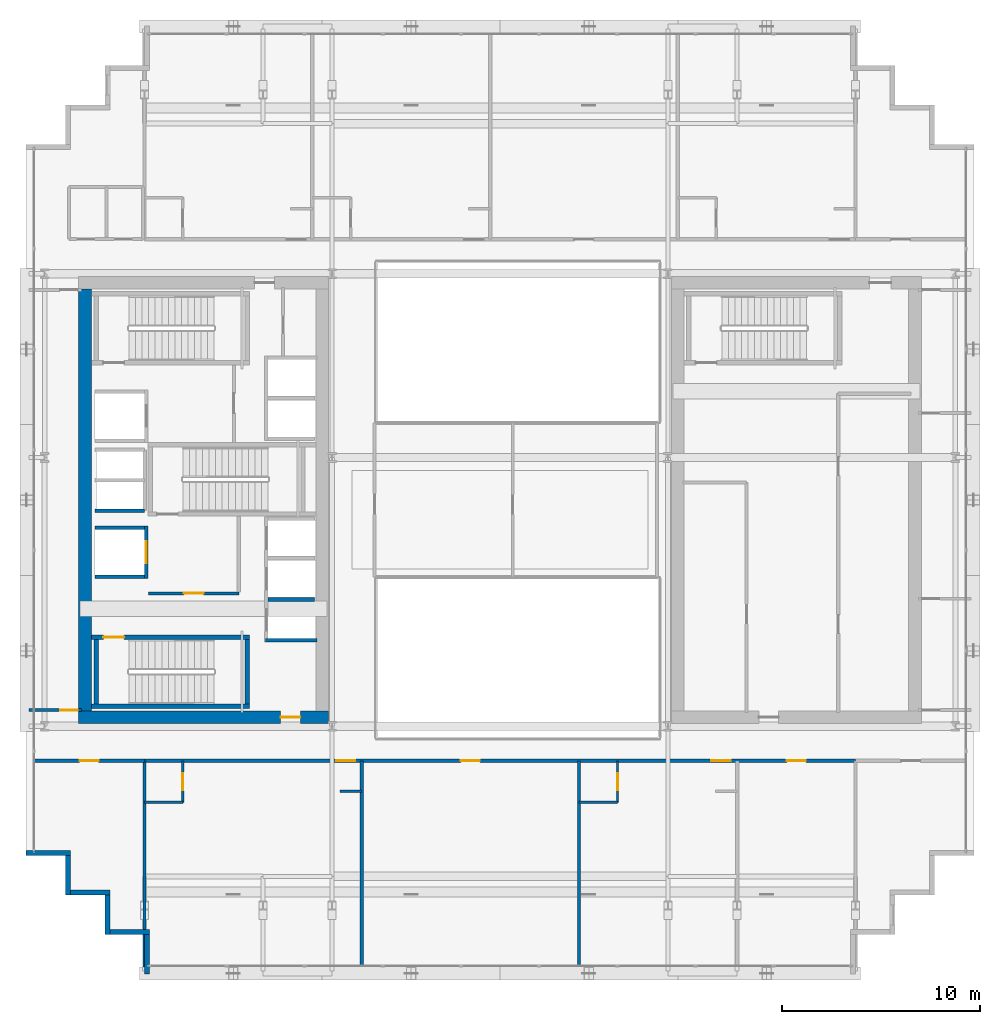
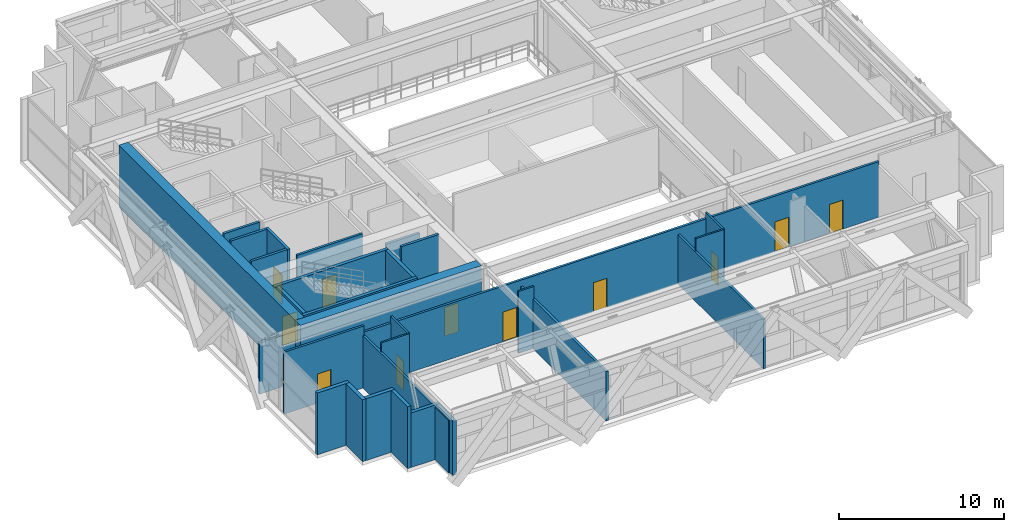
# One storey, part 28 of 35: 30 walls, 12 doors, 12 openings.
"""IFC4 building model written with IfcOpenShell, lengths in metres."""

from ifc_helpers import new_model, si_unit, direction, frame, frame_2d, origin, place, context, subcontext, project, spatial, rectangle, extrude, source, transform, mapped, material, layer, layer_set, type_object, element, fill, save


model = new_model("IFC4")

# Units and contexts
model_context = context("Model", 3, precision=1e-05, world=origin(), true_north=direction((0.0, 1.0)))
body_context = subcontext(model_context, "Body", "Model", "MODEL_VIEW")
ifc_project = project(units=[si_unit("LENGTHUNIT", "METRE"), si_unit("AREAUNIT", "SQUARE_METRE"), si_unit("VOLUMEUNIT", "CUBIC_METRE"), si_unit("PLANEANGLEUNIT", "RADIAN"), si_unit("MASSUNIT", "GRAM", prefix="KILO")], contexts=[model_context])

# Site, building, storey
site_placement = place(None, origin())
site = spatial("IfcSite", under=ifc_project, at=site_placement, CompositionType="ELEMENT")
building_placement = place(site_placement, origin())
building = spatial("IfcBuilding", under=site, at=building_placement, Name="Ocotamira Hotel", CompositionType="ELEMENT")
storey_placement = place(building_placement, frame((0.0, 0.0, 158.39990234375)))
storey = spatial("IfcBuildingStorey", under=building, at=storey_placement, Name="L39", CompositionType="ELEMENT", Elevation=158.39990234375)

# Wall, opening, door
ifc_material_1 = material(Name="Concrete C60/75", Category="concrete")
ifc_layer_1 = layer(ifc_material_1, 0.64990234375)
ifc_layer_set_1 = layer_set([ifc_layer_1], Name="Concrete C60/75")
wall_type_1 = type_object("IfcWallType", Name="WL-CORE-650", PredefinedType="SHEAR", material=ifc_layer_set_1)
wall_1_placement = place(storey_placement, frame((10.675048828125, 15.0, 0.0), z_axis=(0.0, 0.0, 1.0), x_axis=(1.0, 0.0, 0.0)))
wall_1 = element("IfcWall", 1, at=wall_1_placement, inside=storey, type_object=wall_type_1, Name="L39 Shear Core Wall WCORE-S", PredefinedType="SHEAR", context=body_context, shape_type="SweptSolid", body=[
    extrude(rectangle(XDim=12.64990234375, YDim=0.64990234375, at=frame_2d((6.324951171875, 0.0))), origin(), (0.0, 0.0, 1.0), 4.570068359375),
])
opening_1_placement = place(wall_1_placement, frame((10.22509765625, 0.0, 0.0)))
opening_1 = element("IfcOpeningElement", 2, at=opening_1_placement, cuts=wall_1, Name="Opening D-FR2", PredefinedType="OPENING", context=body_context, shape_type="SweptSolid", body=[
    extrude(rectangle(XDim=1.0, YDim=2.14990234375, at=frame_2d((0.5, 1.074951171875))), frame((0.0, 0.3349609375, 0.0), z_axis=(0.0, -1.0, 0.0), x_axis=(1.0, 0.0, 0.0)), (0.0, 0.0, 1.0), 0.669921875),
])
ifc_material_2 = material(Name="Fire-rated acoustic timber-veneer door", Category="wood")
door_type_1 = type_object("IfcDoorType", Name="DR-FIRE-1000", OperationType="NOTDEFINED", PredefinedType="DOOR", material=ifc_material_2)
shared_shape_1 = source(origin(), body_context, "Body", "SweptSolid", [
    extrude(rectangle(XDim=1.0, YDim=2.14990234375, at=frame_2d((0.5, 1.074951171875))), frame((0.0, 0.02490234375, 0.0), z_axis=(0.0, -1.0, 0.0), x_axis=(1.0, 0.0, 0.0)), (0.0, 0.0, 1.0), 0.050048828125),
])
door_1_placement = place(opening_1_placement, origin())
door_1 = element("IfcDoor", 3, at=door_1_placement, inside=storey, type_object=door_type_1, Name="L39 Door ID-L39-WLOB-S-D [ID-L39-WLOB-S-D]", OperationType="SINGLE_SWING_LEFT", OverallHeight=2.14990234375, OverallWidth=1.0, PredefinedType="DOOR", context=body_context, shape_type="MappedRepresentation", body=[
    mapped(shared_shape_1, transform((0.0, 0.0, 0.0), scale=1.0)),
])
fill(opening_1, door_1)

# Walls
wall_2_placement = place(storey_placement, frame((11.0, 15.324951171875, 0.0), z_axis=(0.0, 0.0, 1.0), x_axis=(0.0, 1.0, 0.0)))
element("IfcWall", 4, at=wall_2_placement, inside=storey, type_object=wall_type_1, Name="L39 Shear Core Wall WCORE-W", PredefinedType="SHEAR", context=body_context, shape_type="SweptSolid", body=[
    extrude(rectangle(XDim=21.35009765625, YDim=0.64990234375, at=frame_2d((10.675048828125, 0.0))), origin(), (0.0, 0.0, 1.0), 4.570068359375),
])
ifc_material_3 = material(Name="Precast concrete C45/55", Category="concrete")
ifc_layer_2 = layer(ifc_material_3, 0.25)
ifc_layer_set_2 = layer_set([ifc_layer_2], Name="Precast concrete C45/55")
wall_type_2 = type_object("IfcWallType", Name="WL-EXT-SER-250", PredefinedType="SOLIDWALL", material=ifc_layer_set_2)
wall_3_placement = place(storey_placement, frame((8.0, 8.125, 0.0), z_axis=(0.0, 0.0, 1.0), x_axis=(1.0, 0.0, 0.0)))
element("IfcWall", 5, at=wall_3_placement, inside=storey, type_object=wall_type_2, Name="L39 Serrated Corner Wall 19", PredefinedType="SOLIDWALL", context=body_context, shape_type="SweptSolid", body=[
    extrude(rectangle(XDim=2.25, YDim=0.25, at=frame_2d((1.125, 0.0))), origin(), (0.0, 0.0, 1.0), 4.570068359375),
])
for number, where, z_axis, x_axis, name in (
    (6, (10.125, 8.0, 0.0), (0.0, 0.0, 1.0), (0.0, -1.0, 0.0), "L39 Serrated Corner Wall 20"),
    (7, (10.25, 6.125, 0.0), (0.0, 0.0, 1.0), (1.0, 0.0, 0.0), "L39 Serrated Corner Wall 21"),
    (8, (12.125, 6.0, 0.0), (0.0, 0.0, 1.0), (0.0, -1.0, 0.0), "L39 Serrated Corner Wall 22"),
):
    element("IfcWall", number, at=place(storey_placement, frame(where, z_axis=z_axis, x_axis=x_axis)), inside=storey, type_object=wall_type_2, Name=name, PredefinedType="SOLIDWALL", context=body_context, shape_type="SweptSolid", body=[
        extrude(rectangle(XDim=2.0, YDim=0.25, at=frame_2d((1.0, 0.0))), origin(), (0.0, 0.0, 1.0), 4.570068359375),
    ])
for number, where, z_axis, x_axis, name in (
    (9, (12.25, 4.125, 0.0), (0.0, 0.0, 1.0), (1.0, 0.0, 0.0), "L39 Serrated Corner Wall 23"),
    (10, (14.125, 4.0, 0.0), (0.0, 0.0, 1.0), (0.0, -1.0, 0.0), "L39 Serrated Corner Wall 24"),
):
    element("IfcWall", number, at=place(storey_placement, frame(where, z_axis=z_axis, x_axis=x_axis)), inside=storey, type_object=wall_type_2, Name=name, PredefinedType="SOLIDWALL", context=body_context, shape_type="SweptSolid", body=[
        extrude(rectangle(XDim=2.0, YDim=0.25, at=frame_2d((1.0, 0.0))), origin(), (0.0, 0.0, 1.0), 4.033203125),
    ])

# Wall, opening, door
ifc_material_4 = material(Name="Acoustic double-layer fire gypsum board partition", Category="gypsum")
ifc_layer_3 = layer(ifc_material_4, 0.159912109375)
ifc_layer_set_3 = layer_set([ifc_layer_3], Name="Acoustic double-layer fire gypsum board partition")
wall_type_3 = type_object("IfcWallType", Name="WL-FIRE-160", PredefinedType="PARTITIONING", material=ifc_layer_set_3)
wall_4_placement = place(storey_placement, frame((14.199951171875, 21.27001953125, 0.0), z_axis=(0.0, 0.0, 1.0), x_axis=(1.0, 0.0, 0.0)))
wall_4 = element("IfcWall", 11, at=wall_4_placement, inside=storey, type_object=wall_type_3, Name="L39 Interior Wall PW-L39-FSAE1-S", PredefinedType="PARTITIONING", context=body_context, shape_type="SweptSolid", body=[
    extrude(rectangle(XDim=4.580078125, YDim=0.159912109375, at=frame_2d((2.2900390625, 0.0))), origin(), (0.0, 0.0, 1.0), 4.570068359375),
])
opening_2_placement = place(wall_4_placement, frame((1.800048828125, 0.0, 0.0)))
opening_2 = element("IfcOpeningElement", 12, at=opening_2_placement, cuts=wall_4, Name="Opening D-FR2", PredefinedType="OPENING", context=body_context, shape_type="SweptSolid", body=[
    extrude(rectangle(XDim=1.0, YDim=2.14990234375, at=frame_2d((0.5, 1.074951171875))), frame((0.0, 0.08984375, 0.0), z_axis=(0.0, -1.0, 0.0), x_axis=(1.0, 0.0, 0.0)), (0.0, 0.0, 1.0), 0.179931640625),
])
door_2_placement = place(opening_2_placement, origin())
door_2 = element("IfcDoor", 13, at=door_2_placement, inside=storey, type_object=door_type_1, Name="L39 Door ID-L39-FSAE1-D [ID-L39-FSAE1-D]", OperationType="SINGLE_SWING_LEFT", OverallHeight=2.14990234375, OverallWidth=1.0, PredefinedType="DOOR", context=body_context, shape_type="MappedRepresentation", body=[
    mapped(shared_shape_1, transform((0.0, 0.0, 0.0), scale=1.0)),
])
fill(opening_2, door_2)

# Wall, openings, doors
wall_5_placement = place(storey_placement, frame((14.0, 12.800048828125, 0.0), z_axis=(0.0, 0.0, 1.0), x_axis=(1.0, 0.0, 0.0)))
wall_5 = element("IfcWall", 14, at=wall_5_placement, inside=storey, type_object=wall_type_3, Name="L39 Interior Wall PW-L39-L39S-CORRW", PredefinedType="PARTITIONING", context=body_context, shape_type="SweptSolid", body=[
    extrude(rectangle(XDim=36.0, YDim=0.159912109375, at=frame_2d((18.0, 0.0))), origin(), (0.0, 0.0, 1.0), 4.113037109375),
])
opening_3_placement = place(wall_5_placement, frame((9.699951171875, 0.0, 0.0)))
opening_3 = element("IfcOpeningElement", 15, at=opening_3_placement, cuts=wall_5, Name="Opening D-GR2", PredefinedType="OPENING", context=body_context, shape_type="SweptSolid", body=[
    extrude(rectangle(XDim=0.97998046875, YDim=2.199951171875, at=frame_2d((0.489990234375, 1.10009765625))), frame((0.0, 0.08984375, 0.0), z_axis=(0.0, -1.0, 0.0), x_axis=(1.0, 0.0, 0.0)), (0.0, 0.0, 1.0), 0.179931640625),
])
opening_4_placement = place(wall_5_placement, frame((16.02001953125, 0.0, 0.0)))
opening_4 = element("IfcOpeningElement", 16, at=opening_4_placement, cuts=wall_5, Name="Opening D-SV4", PredefinedType="OPENING", context=body_context, shape_type="SweptSolid", body=[
    extrude(rectangle(XDim=0.9599609375, YDim=2.14990234375, at=frame_2d((0.47998046875, 1.074951171875))), frame((0.0, 0.08984375, 0.0), z_axis=(0.0, -1.0, 0.0), x_axis=(1.0, 0.0, 0.0)), (0.0, 0.0, 1.0), 0.179931640625),
])
opening_5_placement = place(wall_5_placement, frame((28.699951171875, 0.0, 0.0)))
opening_5 = element("IfcOpeningElement", 17, at=opening_5_placement, cuts=wall_5, Name="Opening D-GR2", PredefinedType="OPENING", context=body_context, shape_type="SweptSolid", body=[
    extrude(rectangle(XDim=0.97998046875, YDim=2.199951171875, at=frame_2d((0.489990234375, 1.10009765625))), frame((0.0, 0.08984375, 0.0), z_axis=(0.0, -1.0, 0.0), x_axis=(1.0, 0.0, 0.0)), (0.0, 0.0, 1.0), 0.179931640625),
])
opening_6_placement = place(wall_5_placement, frame((32.52001953125, 0.0, 0.0)))
opening_6 = element("IfcOpeningElement", 18, at=opening_6_placement, cuts=wall_5, Name="Opening D-SV4", PredefinedType="OPENING", context=body_context, shape_type="SweptSolid", body=[
    extrude(rectangle(XDim=0.9599609375, YDim=2.14990234375, at=frame_2d((0.47998046875, 1.074951171875))), frame((0.0, 0.08984375, 0.0), z_axis=(0.0, -1.0, 0.0), x_axis=(1.0, 0.0, 0.0)), (0.0, 0.0, 1.0), 0.179931640625),
])
ifc_material_5 = material(Name="Fire-rated accessible walnut salon door", Category="wood")
door_type_2 = type_object("IfcDoorType", Name="DR-SERV-960", OperationType="NOTDEFINED", PredefinedType="DOOR", material=ifc_material_5)
shared_shape_2 = source(origin(), body_context, "Body", "SweptSolid", [
    extrude(rectangle(XDim=0.9599609375, YDim=2.14990234375, at=frame_2d((0.47998046875, 1.074951171875))), frame((0.0, 0.02490234375, 0.0), z_axis=(0.0, -1.0, 0.0), x_axis=(1.0, 0.0, 0.0)), (0.0, 0.0, 1.0), 0.050048828125),
])
door_3_placement = place(opening_4_placement, origin())
door_3 = element("IfcDoor", 19, at=door_3_placement, inside=storey, type_object=door_type_2, Name="L39 Door ID-L39-L39S-AMD2 [ID-L39-L39S-AMD2]", OperationType="SINGLE_SWING_RIGHT", OverallHeight=2.14990234375, OverallWidth=0.9599609375, PredefinedType="DOOR", context=body_context, shape_type="MappedRepresentation", body=[
    mapped(shared_shape_2, transform((0.0, 0.0, 0.0), scale=1.0)),
])
fill(opening_4, door_3)
door_4_placement = place(opening_6_placement, origin())
door_4 = element("IfcDoor", 20, at=door_4_placement, inside=storey, type_object=door_type_2, Name="L39 Door ID-L39-L39S-AMD4 [ID-L39-L39S-AMD4]", OperationType="SINGLE_SWING_RIGHT", OverallHeight=2.14990234375, OverallWidth=0.9599609375, PredefinedType="DOOR", context=body_context, shape_type="MappedRepresentation", body=[
    mapped(shared_shape_2, transform((0.0, 0.0, 0.0), scale=1.0)),
])
fill(opening_6, door_4)
ifc_material_6 = material(Name="Solid-core walnut grand-suite entrance fire door", Category="wood")
door_type_3 = type_object("IfcDoorType", Name="DR-GUEST-980", OperationType="NOTDEFINED", PredefinedType="DOOR", material=ifc_material_6)
shared_shape_3 = source(origin(), body_context, "Body", "SweptSolid", [
    extrude(rectangle(XDim=0.97998046875, YDim=2.199951171875, at=frame_2d((0.489990234375, 1.10009765625))), frame((0.0, 0.02490234375, 0.0), z_axis=(0.0, -1.0, 0.0), x_axis=(1.0, 0.0, 0.0)), (0.0, 0.0, 1.0), 0.050048828125),
])
door_5_placement = place(opening_3_placement, origin())
door_5 = element("IfcDoor", 21, at=door_5_placement, inside=storey, type_object=door_type_3, Name="L39 Door ID-L39-L39S-RMD1 [ID-L39-L39S-RMD1]", OperationType="SINGLE_SWING_LEFT", OverallHeight=2.199951171875, OverallWidth=0.97998046875, PredefinedType="DOOR", context=body_context, shape_type="MappedRepresentation", body=[
    mapped(shared_shape_3, transform((0.0, 0.0, 0.0), scale=1.0)),
])
fill(opening_3, door_5)
door_6_placement = place(opening_5_placement, origin())
door_6 = element("IfcDoor", 22, at=door_6_placement, inside=storey, type_object=door_type_3, Name="L39 Door ID-L39-L39S-RMD3 [ID-L39-L39S-RMD3]", OperationType="SINGLE_SWING_LEFT", OverallHeight=2.199951171875, OverallWidth=0.97998046875, PredefinedType="DOOR", context=body_context, shape_type="MappedRepresentation", body=[
    mapped(shared_shape_3, transform((0.0, 0.0, 0.0), scale=1.0)),
])
fill(opening_5, door_6)

# Wall, opening, door
wall_6_placement = place(storey_placement, frame((8.39990234375, 12.800048828125, 0.0), z_axis=(0.0, 0.0, 1.0), x_axis=(1.0, 0.0, 0.0)))
wall_6 = element("IfcWall", 23, at=wall_6_placement, inside=storey, type_object=wall_type_3, Name="L39 Interior Wall PW-L39-L39-CSW-CW", PredefinedType="PARTITIONING", context=body_context, shape_type="SweptSolid", body=[
    extrude(rectangle(XDim=5.60009765625, YDim=0.159912109375, at=frame_2d((2.800048828125, 0.0))), origin(), (0.0, 0.0, 1.0), 4.570068359375),
])
opening_7_placement = place(wall_6_placement, frame((2.320068359375, 0.0, 0.0)))
opening_7 = element("IfcOpeningElement", 24, at=opening_7_placement, cuts=wall_6, Name="Opening D-SV4", PredefinedType="OPENING", context=body_context, shape_type="SweptSolid", body=[
    extrude(rectangle(XDim=0.9599609375, YDim=2.14990234375, at=frame_2d((0.47998046875, 1.074951171875))), frame((0.0, 0.08984375, 0.0), z_axis=(0.0, -1.0, 0.0), x_axis=(1.0, 0.0, 0.0)), (0.0, 0.0, 1.0), 0.179931640625),
])
door_7_placement = place(opening_7_placement, origin())
door_7 = element("IfcDoor", 25, at=door_7_placement, inside=storey, type_object=door_type_2, Name="L39 Door ID-L39-L39-CSW-CD [ID-L39-L39-CSW-CD]", OperationType="SINGLE_SWING_LEFT", OverallHeight=2.14990234375, OverallWidth=0.9599609375, PredefinedType="DOOR", context=body_context, shape_type="MappedRepresentation", body=[
    mapped(shared_shape_2, transform((0.0, 0.0, 0.0), scale=1.0)),
])
fill(opening_7, door_7)

ifc_material_7 = material(Name="Moisture-resistant en-suite tile and gypsum partition", Category="gypsum")
ifc_layer_4 = layer(ifc_material_7, 0.1201171875)
ifc_layer_set_4 = layer_set([ifc_layer_4], Name="Moisture-resistant en-suite tile and gypsum partition")
wall_type_4 = type_object("IfcWallType", Name="WL-PART-120", PredefinedType="PARTITIONING", material=ifc_layer_set_4)
wall_7_placement = place(storey_placement, frame((15.949951171875, 10.699951171875, 0.0), z_axis=(0.0, 0.0, 1.0), x_axis=(0.0, 1.0, 0.0)))
wall_7 = element("IfcWall", 26, at=wall_7_placement, inside=storey, type_object=wall_type_4, Name="L39 Interior Wall PW-L39-L39S-BAE1", PredefinedType="PARTITIONING", context=body_context, shape_type="SweptSolid", body=[
    extrude(rectangle(XDim=2.10009765625, YDim=0.1201171875, at=frame_2d((1.050048828125, 0.0))), origin(), (0.0, 0.0, 1.0), 4.570068359375),
])
opening_8_placement = place(wall_7_placement, frame((0.6201171875, 0.0, 0.0)))
opening_8 = element("IfcOpeningElement", 27, at=opening_8_placement, cuts=wall_7, Name="Opening D-BA1", PredefinedType="OPENING", context=body_context, shape_type="SweptSolid", body=[
    extrude(rectangle(XDim=0.860107421875, YDim=2.10009765625, at=frame_2d((0.43017578125, 1.050048828125))), frame((0.0, 0.070068359375, 0.0), z_axis=(0.0, -1.0, 0.0), x_axis=(1.0, 0.0, 0.0)), (0.0, 0.0, 1.0), 0.14013671875),
])
ifc_material_8 = material(Name="Moisture-sealed en-suite timber door", Category="wood")
door_type_4 = type_object("IfcDoorType", Name="DR-BATH-860", OperationType="NOTDEFINED", PredefinedType="DOOR", material=ifc_material_8)
shared_shape_4 = source(origin(), body_context, "Body", "SweptSolid", [
    extrude(rectangle(XDim=0.860107421875, YDim=2.10009765625, at=frame_2d((0.43017578125, 1.050048828125))), frame((0.0, 0.02490234375, 0.0), z_axis=(0.0, -1.0, 0.0), x_axis=(1.0, 0.0, 0.0)), (0.0, 0.0, 1.0), 0.050048828125),
])
door_8_placement = place(opening_8_placement, origin())
door_8 = element("IfcDoor", 28, at=door_8_placement, inside=storey, type_object=door_type_4, Name="L39 Door ID-L39-L39S-BAD1 [ID-L39-L39S-BAD1]", OperationType="SINGLE_SWING_RIGHT", OverallHeight=2.10009765625, OverallWidth=0.860107421875, PredefinedType="DOOR", context=body_context, shape_type="MappedRepresentation", body=[
    mapped(shared_shape_4, transform((0.0, 0.0, 0.0), scale=1.0)),
])
fill(opening_8, door_8)

# Walls
wall_8_placement = place(storey_placement, frame((14.0, 10.699951171875, 0.0), z_axis=(0.0, 0.0, 1.0), x_axis=(1.0, 0.0, 0.0)))
element("IfcWall", 29, at=wall_8_placement, inside=storey, type_object=wall_type_4, Name="L39 Interior Wall PW-L39-L39S-BAS1", PredefinedType="PARTITIONING", context=body_context, shape_type="SweptSolid", body=[
    extrude(rectangle(XDim=1.949951171875, YDim=0.1201171875, at=frame_2d((0.97509765625, 0.0))), origin(), (0.0, 0.0, 1.0), 4.570068359375),
])
wall_9_placement = place(storey_placement, frame((23.89990234375, 11.25, 0.0), z_axis=(0.0, 0.0, 1.0), x_axis=(1.0, 0.0, 0.0)))
element("IfcWall", 30, at=wall_9_placement, inside=storey, type_object=wall_type_4, Name="L39 Interior Wall PW-L39-L39S-DRN1", PredefinedType="PARTITIONING", context=body_context, shape_type="SweptSolid", body=[
    extrude(rectangle(XDim=1.10009765625, YDim=0.1201171875, at=frame_2d((0.550048828125, 0.0))), origin(), (0.0, 0.0, 1.0), 4.570068359375),
])

# Wall, opening, door
wall_10_placement = place(storey_placement, frame((37.949951171875, 10.699951171875, 0.0), z_axis=(0.0, 0.0, 1.0), x_axis=(0.0, 1.0, 0.0)))
wall_10 = element("IfcWall", 31, at=wall_10_placement, inside=storey, type_object=wall_type_4, Name="L39 Interior Wall PW-L39-L39S-BAE3", PredefinedType="PARTITIONING", context=body_context, shape_type="SweptSolid", body=[
    extrude(rectangle(XDim=2.10009765625, YDim=0.1201171875, at=frame_2d((1.050048828125, 0.0))), origin(), (0.0, 0.0, 1.0), 4.570068359375),
])
opening_9_placement = place(wall_10_placement, frame((0.6201171875, 0.0, 0.0)))
opening_9 = element("IfcOpeningElement", 32, at=opening_9_placement, cuts=wall_10, Name="Opening D-BA1", PredefinedType="OPENING", context=body_context, shape_type="SweptSolid", body=[
    extrude(rectangle(XDim=0.860107421875, YDim=2.10009765625, at=frame_2d((0.43017578125, 1.050048828125))), frame((0.0, 0.070068359375, 0.0), z_axis=(0.0, -1.0, 0.0), x_axis=(1.0, 0.0, 0.0)), (0.0, 0.0, 1.0), 0.14013671875),
])
door_9_placement = place(opening_9_placement, origin())
door_9 = element("IfcDoor", 33, at=door_9_placement, inside=storey, type_object=door_type_4, Name="L39 Door ID-L39-L39S-BAD3 [ID-L39-L39S-BAD3]", OperationType="SINGLE_SWING_RIGHT", OverallHeight=2.10009765625, OverallWidth=0.860107421875, PredefinedType="DOOR", context=body_context, shape_type="MappedRepresentation", body=[
    mapped(shared_shape_4, transform((0.0, 0.0, 0.0), scale=1.0)),
])
fill(opening_9, door_9)

# Wall
wall_11_placement = place(storey_placement, frame((36.0, 10.699951171875, 0.0), z_axis=(0.0, 0.0, 1.0), x_axis=(1.0, 0.0, 0.0)))
element("IfcWall", 34, at=wall_11_placement, inside=storey, type_object=wall_type_4, Name="L39 Interior Wall PW-L39-L39S-BAS3", PredefinedType="PARTITIONING", context=body_context, shape_type="SweptSolid", body=[
    extrude(rectangle(XDim=1.949951171875, YDim=0.1201171875, at=frame_2d((0.97509765625, 0.0))), origin(), (0.0, 0.0, 1.0), 4.570068359375),
])

# Wall, opening, door
ifc_material_9 = material(Name="Acoustic hospitality gypsum board partition", Category="gypsum")
ifc_layer_5 = layer(ifc_material_9, 0.14990234375)
ifc_layer_set_5 = layer_set([ifc_layer_5], Name="Acoustic hospitality gypsum board partition")
wall_type_5 = type_object("IfcWallType", Name="WL-PART-150", PredefinedType="PARTITIONING", material=ifc_layer_set_5)
wall_12_placement = place(storey_placement, frame((8.159912109375, 15.360107421875, 0.0), z_axis=(0.0, 0.0, 1.0), x_axis=(1.0, 0.0, 0.0)))
wall_12 = element("IfcWall", 35, at=wall_12_placement, inside=storey, type_object=wall_type_5, Name="L39 Interior Wall PW-L39-L39W-WS", PredefinedType="PARTITIONING", context=body_context, shape_type="SweptSolid", body=[
    extrude(rectangle(XDim=2.66015625, YDim=0.14990234375, at=frame_2d((1.330078125, 0.0))), origin(), (0.0, 0.0, 1.0), 3.791015625),
])
opening_10_placement = place(wall_12_placement, frame((1.580078125, 0.0, 0.0)))
opening_10 = element("IfcOpeningElement", 36, at=opening_10_placement, cuts=wall_12, Name="Opening D-SV2", PredefinedType="OPENING", context=body_context, shape_type="SweptSolid", body=[
    extrude(rectangle(XDim=0.8798828125, YDim=2.14990234375, at=frame_2d((0.43994140625, 1.074951171875))), frame((0.0, 0.0849609375, 0.0), z_axis=(0.0, -1.0, 0.0), x_axis=(1.0, 0.0, 0.0)), (0.0, 0.0, 1.0), 0.169921875),
])
ifc_material_10 = material(Name="Fire-rated painted steel service door", Category="steel")
door_type_5 = type_object("IfcDoorType", Name="DR-SERV-880", OperationType="NOTDEFINED", PredefinedType="DOOR", material=ifc_material_10)
shared_shape_5 = source(origin(), body_context, "Body", "SweptSolid", [
    extrude(rectangle(XDim=0.8798828125, YDim=2.14990234375, at=frame_2d((0.43994140625, 1.074951171875))), frame((0.0, 0.02490234375, 0.0), z_axis=(0.0, -1.0, 0.0), x_axis=(1.0, 0.0, 0.0)), (0.0, 0.0, 1.0), 0.050048828125),
])
door_10_placement = place(opening_10_placement, origin())
door_10 = element("IfcDoor", 37, at=door_10_placement, inside=storey, type_object=door_type_5, Name="L39 Door ID-L39-L39W-DS [ID-L39-L39W-DS]", OperationType="SINGLE_SWING_LEFT", OverallHeight=2.14990234375, OverallWidth=0.8798828125, PredefinedType="DOOR", context=body_context, shape_type="MappedRepresentation", body=[
    mapped(shared_shape_5, transform((0.0, 0.0, 0.0), scale=1.0)),
])
fill(opening_10, door_10)

# Walls
ifc_material_11 = material(Name="Acoustic double-stud hospitality gypsum partition", Category="gypsum")
ifc_layer_6 = layer(ifc_material_11, 0.159912109375)
ifc_layer_set_6 = layer_set([ifc_layer_6], Name="Acoustic double-stud hospitality gypsum partition")
wall_type_6 = type_object("IfcWallType", Name="WL-PART-160", PredefinedType="PARTITIONING", material=ifc_layer_set_6)
wall_13_placement = place(storey_placement, frame((14.0, 2.360107421875, 0.0), z_axis=(0.0, 0.0, 1.0), x_axis=(0.0, 1.0, 0.0)))
element("IfcWall", 38, at=wall_13_placement, inside=storey, type_object=wall_type_6, Name="L39 Interior Wall PW-L39-L39S-PW0", PredefinedType="PARTITIONING", context=body_context, shape_type="SweptSolid", body=[
    extrude(rectangle(XDim=10.43994140625, YDim=0.159912109375, at=frame_2d((5.219970703125, 0.0))), origin(), (0.0, 0.0, 1.0), 3.877197265625),
])
wall_14_placement = place(storey_placement, frame((36.0, 2.360107421875, 0.0), z_axis=(0.0, 0.0, 1.0), x_axis=(0.0, 1.0, 0.0)))
element("IfcWall", 39, at=wall_14_placement, inside=storey, type_object=wall_type_6, Name="L39 Interior Wall PW-L39-L39S-PW2", PredefinedType="PARTITIONING", context=body_context, shape_type="SweptSolid", body=[
    extrude(rectangle(XDim=10.43994140625, YDim=0.159912109375, at=frame_2d((5.219970703125, 0.0))), origin(), (0.0, 0.0, 1.0), 3.64306640625),
])
ifc_material_12 = material(Name="Double-stud suite party gypsum partition", Category="gypsum")
ifc_layer_7 = layer(ifc_material_12, 0.175048828125)
ifc_layer_set_7 = layer_set([ifc_layer_7], Name="Double-stud suite party gypsum partition")
wall_type_7 = type_object("IfcWallType", Name="WL-PART-175", PredefinedType="PARTITIONING", material=ifc_layer_set_7)
wall_15_placement = place(storey_placement, frame((25.0, 2.360107421875, 0.0), z_axis=(0.0, 0.0, 1.0), x_axis=(0.0, 1.0, 0.0)))
element("IfcWall", 40, at=wall_15_placement, inside=storey, type_object=wall_type_7, Name="L39 Interior Wall PW-L39-L39S-PW1", PredefinedType="PARTITIONING", context=body_context, shape_type="SweptSolid", body=[
    extrude(rectangle(XDim=10.43994140625, YDim=0.175048828125, at=frame_2d((5.219970703125, 0.0))), origin(), (0.0, 0.0, 1.0), 3.64306640625),
])
ifc_material_13 = material(Name="Fire-rated gypsum shaftliner board assembly", Category="gypsum")
ifc_layer_8 = layer(ifc_material_13, 0.179931640625)
ifc_layer_set_8 = layer_set([ifc_layer_8], Name="Fire-rated gypsum shaftliner board assembly")
wall_type_8 = type_object("IfcWallType", Name="WL-SHAFT-180", PredefinedType="SOLIDWALL", material=ifc_layer_set_8)
wall_16_placement = place(storey_placement, frame((20.1201171875, 18.909912109375, 0.0), z_axis=(0.0, 0.0, 1.0), x_axis=(1.0, 0.0, 0.0)))
element("IfcWall", 41, at=wall_16_placement, inside=storey, type_object=wall_type_8, Name="L39 Interior Wall PW-L39-LFW-BANK-high-S", PredefinedType="SOLIDWALL", context=body_context, shape_type="SweptSolid", body=[
    extrude(rectangle(XDim=2.6298828125, YDim=0.179931640625, at=frame_2d((1.31494140625, 0.0))), origin(), (0.0, 0.0, 1.0), 4.570068359375),
])
wall_17_placement = place(storey_placement, frame((20.25, 20.965087890625, 0.0), z_axis=(0.0, 0.0, 1.0), x_axis=(1.0, 0.0, 0.0)))
element("IfcWall", 42, at=wall_17_placement, inside=storey, type_object=wall_type_8, Name="L39 Interior Wall PW-L39-LFW-DIV-LF-P7", PredefinedType="SOLIDWALL", context=body_context, shape_type="SweptSolid", body=[
    extrude(rectangle(XDim=2.360107421875, YDim=0.179931640625, at=frame_2d((1.18017578125, 0.0))), origin(), (0.0, 0.0, 1.0), 3.47021484375),
])
for number, where, z_axis, x_axis, name in (
    (43, (11.5, 22.110107421875, 0.0), (0.0, 0.0, 1.0), (1.0, 0.0, 0.0), "L39 Interior Wall PW-L39-LFW-LF-FSAE1-S"),
    (44, (11.5, 24.590087890625, 0.0), (0.0, 0.0, 1.0), (1.0, 0.0, 0.0), "L39 Interior Wall PW-L39-LFW-LF-FSAE1-N"),
):
    element("IfcWall", number, at=place(storey_placement, frame(where, z_axis=z_axis, x_axis=x_axis)), inside=storey, type_object=wall_type_8, Name=name, PredefinedType="SOLIDWALL", context=body_context, shape_type="SweptSolid", body=[
        extrude(rectangle(XDim=2.5, YDim=0.179931640625, at=frame_2d((1.25, 0.0))), origin(), (0.0, 0.0, 1.0), 4.570068359375),
    ])

# Wall, opening, door
wall_18_placement = place(storey_placement, frame((14.090087890625, 22.02001953125, 0.0), z_axis=(0.0, 0.0, 1.0), x_axis=(0.0, 1.0, 0.0)))
wall_18 = element("IfcWall", 45, at=wall_18_placement, inside=storey, type_object=wall_type_8, Name="L39 Interior Wall PW-L39-LFW-LF-FSAE1-E", PredefinedType="SOLIDWALL", context=body_context, shape_type="SweptSolid", body=[
    extrude(rectangle(XDim=2.659912109375, YDim=0.179931640625, at=frame_2d((1.330078125, 0.0))), origin(), (0.0, 0.0, 1.0), 4.570068359375),
])
opening_11_placement = place(wall_18_placement, frame((0.780029296875, 0.0, 0.0)))
opening_11 = element("IfcOpeningElement", 46, at=opening_11_placement, cuts=wall_18, Name="Opening LD-LF-FSAE1", PredefinedType="OPENING", context=body_context, shape_type="SweptSolid", body=[
    extrude(rectangle(XDim=1.10009765625, YDim=2.199951171875, at=frame_2d((0.550048828125, 1.10009765625))), frame((0.0, 0.10009765625, 0.0), z_axis=(0.0, -1.0, 0.0), x_axis=(1.0, 0.0, 0.0)), (0.0, 0.0, 1.0), 0.199951171875),
])
ifc_material_14 = material(Name="Brushed pale-metal stainless elevator landing door", Category="steel")
door_type_6 = type_object("IfcDoorType", Name="DR-LIFT-1100", OperationType="NOTDEFINED", PredefinedType="DOOR", material=ifc_material_14)
shared_shape_6 = source(origin(), body_context, "Body", "SweptSolid", [
    extrude(rectangle(XDim=1.10009765625, YDim=2.199951171875, at=frame_2d((0.550048828125, 1.10009765625))), frame((0.0, 0.02490234375, 0.0), z_axis=(0.0, -1.0, 0.0), x_axis=(1.0, 0.0, 0.0)), (0.0, 0.0, 1.0), 0.050048828125),
])
door_11_placement = place(opening_11_placement, origin())
door_11 = element("IfcDoor", 47, at=door_11_placement, inside=storey, type_object=door_type_6, Name="L39 Landing Door LD-LF-FSAE1 [ID-L39-LD-LF-FSAE1]", OperationType="DOUBLE_DOOR_SLIDING", OverallHeight=2.199951171875, OverallWidth=1.10009765625, PredefinedType="DOOR", context=body_context, shape_type="MappedRepresentation", body=[
    mapped(shared_shape_6, transform((0.0, 0.0, 0.0), scale=1.0)),
])
fill(opening_11, door_11)

# Walls
wall_19_placement = place(storey_placement, frame((11.5, 25.4599609375, 0.0), z_axis=(0.0, 0.0, 1.0), x_axis=(1.0, 0.0, 0.0)))
element("IfcWall", 48, at=wall_19_placement, inside=storey, type_object=wall_type_8, Name="L39 Interior Wall PW-L39-RSW-S", PredefinedType="SOLIDWALL", context=body_context, shape_type="SweptSolid", body=[
    extrude(rectangle(XDim=2.510009765625, YDim=0.179931640625, at=frame_2d((1.2548828125, 0.0))), origin(), (0.0, 0.0, 1.0), 4.570068359375),
])
ifc_material_15 = material(Name="Concrete C50/60", Category="concrete")
ifc_layer_9 = layer(ifc_material_15, 0.219970703125)
ifc_layer_set_9 = layer_set([ifc_layer_9], Name="Concrete C50/60")
wall_type_9 = type_object("IfcWallType", Name="WL-STAIR-220", PredefinedType="SHEAR", material=ifc_layer_set_9)
wall_20_placement = place(storey_placement, frame((11.324951171875, 15.56005859375, 0.0), z_axis=(0.0, 0.0, 1.0), x_axis=(1.0, 0.0, 0.0)))
element("IfcWall", 49, at=wall_20_placement, inside=storey, type_object=wall_type_9, Name="L39 Stair Shaft Structural Wall ST-1-S", PredefinedType="SHEAR", context=body_context, shape_type="SweptSolid", body=[
    extrude(rectangle(XDim=7.985107421875, YDim=0.219970703125, at=frame_2d((3.99267578125, 0.0))), origin(), (0.0, 0.0, 1.0), 4.60009765625),
])

# Wall, opening, door
wall_21_placement = place(storey_placement, frame((11.324951171875, 19.06005859375, 0.0), z_axis=(0.0, 0.0, 1.0), x_axis=(1.0, 0.0, 0.0)))
wall_21 = element("IfcWall", 50, at=wall_21_placement, inside=storey, type_object=wall_type_9, Name="L39 Stair Shaft Structural Wall ST-1-N", PredefinedType="SHEAR", context=body_context, shape_type="SweptSolid", body=[
    extrude(rectangle(XDim=7.985107421875, YDim=0.219970703125, at=frame_2d((3.99267578125, 0.0))), origin(), (0.0, 0.0, 1.0), 4.60009765625),
])
opening_12_placement = place(wall_21_placement, frame((0.594970703125, 0.0, 0.0)))
opening_12 = element("IfcOpeningElement", 51, at=opening_12_placement, cuts=wall_21, Name="Opening D-ST2", PredefinedType="OPENING", context=body_context, shape_type="SweptSolid", body=[
    extrude(rectangle(XDim=1.050048828125, YDim=2.14990234375, at=frame_2d((0.52490234375, 1.074951171875))), frame((0.0, 0.1201171875, 0.0), z_axis=(0.0, -1.0, 0.0), x_axis=(1.0, 0.0, 0.0)), (0.0, 0.0, 1.0), 0.239990234375),
])
ifc_material_16 = material(Name="Insulated painted hollow-metal fire exit door", Category="steel")
door_type_7 = type_object("IfcDoorType", Name="DR-STAIR-1050", OperationType="NOTDEFINED", PredefinedType="DOOR", material=ifc_material_16)
shared_shape_7 = source(origin(), body_context, "Body", "SweptSolid", [
    extrude(rectangle(XDim=1.050048828125, YDim=2.14990234375, at=frame_2d((0.52490234375, 1.074951171875))), frame((0.0, 0.02490234375, 0.0), z_axis=(0.0, -1.0, 0.0), x_axis=(1.0, 0.0, 0.0)), (0.0, 0.0, 1.0), 0.050048828125),
])
door_12_placement = place(opening_12_placement, origin())
door_12 = element("IfcDoor", 52, at=door_12_placement, inside=storey, type_object=door_type_7, Name="L39 Door ID-L39-STD-ST-1 [ID-L39-STD-ST-1]", OperationType="SINGLE_SWING_RIGHT", OverallHeight=2.14990234375, OverallWidth=1.050048828125, PredefinedType="DOOR", context=body_context, shape_type="MappedRepresentation", body=[
    mapped(shared_shape_7, transform((0.0, 0.0, 0.0), scale=1.0)),
])
fill(opening_12, door_12)

# Walls
for number, where, z_axis, x_axis, name in (
    (53, (11.56005859375, 15.669921875, 0.0), (0.0, 0.0, 1.0), (0.0, 1.0, 0.0), "L39 Stair Shaft Structural Wall ST-1-W"),
    (54, (19.199951171875, 15.669921875, 0.0), (0.0, 0.0, 1.0), (0.0, 1.0, 0.0), "L39 Stair Shaft Structural Wall ST-1-E"),
):
    element("IfcWall", number, at=place(storey_placement, frame(where, z_axis=z_axis, x_axis=x_axis)), inside=storey, type_object=wall_type_9, Name=name, PredefinedType="SHEAR", context=body_context, shape_type="SweptSolid", body=[
        extrude(rectangle(XDim=3.280029296875, YDim=0.219970703125, at=frame_2d((1.64013671875, 0.0))), origin(), (0.0, 0.0, 1.0), 4.60009765625),
    ])

save(model, "model.ifc")
